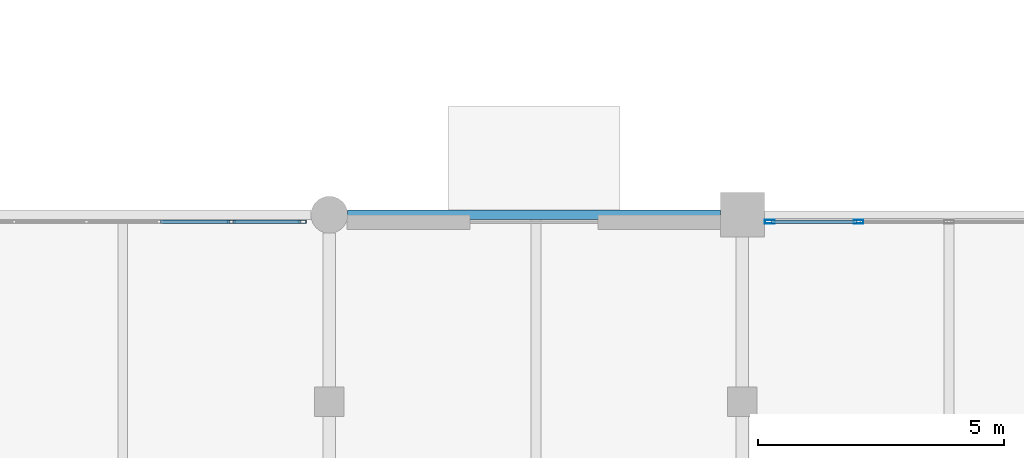
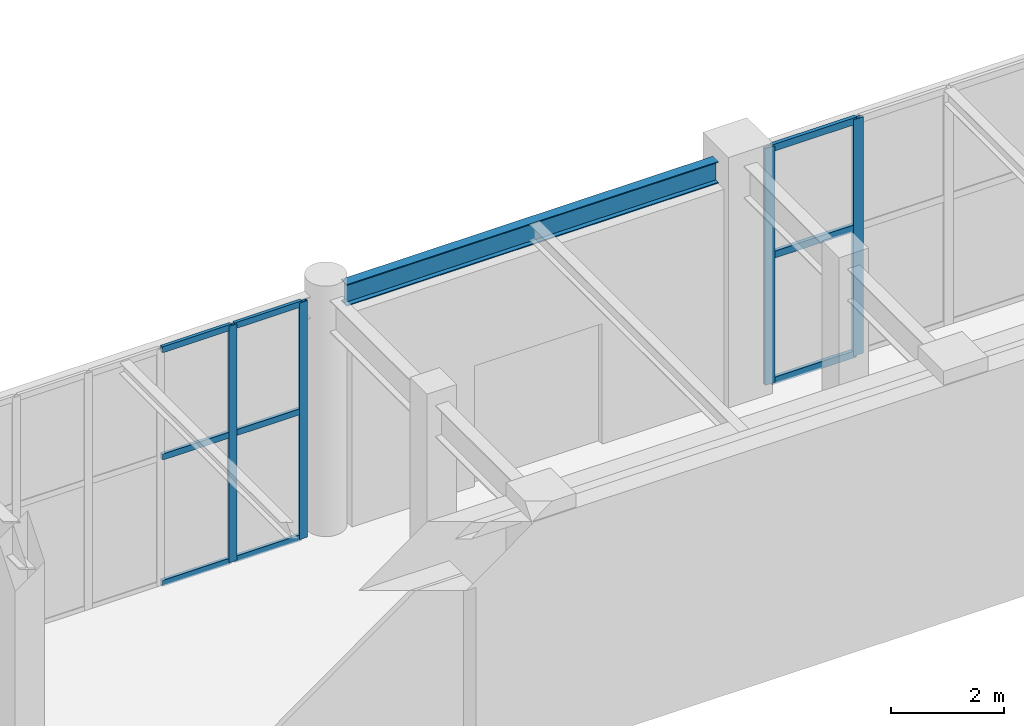
# One storey, part 68 of 139: 13 members, 1 beam, 2 elements without a shape of their own.
"""IFC4 building model written with IfcOpenShell, lengths in metres."""

import ifcopenshell
import ifcopenshell.guid

model = None  # the IFC model being written
_history = None  # IfcOwnerHistory: only IFC2X3 demands one
_inside = {}  # id of a spatial element -> (the spatial element, [elements in it])
_under = {}  # id of a project, library or spatial element -> (it, [spatial elements below it])
_declared = {}  # id of a project -> (the project, [libraries it declares])
_typed = {}  # id of a type object -> (the type object, [elements of that type])
_made_of = {}  # id of a material, layer set ... -> (it, [elements and type objects made of it])


def new_model(schema):
    """Start an empty IFC model of exactly this schema.

    Asked for "IFC4X3", IfcOpenShell would pick the latest addendum, in which some entities
    have other attributes; the version numbers below select the first issue.
    IFC2X3 requires an IfcOwnerHistory on every rooted entity: one is made here for all.
    """
    global model, _history
    if schema == "IFC4X3":
        model = ifcopenshell.file(schema_version=(4, 3, 0, 0))
    else:
        model = ifcopenshell.file(schema=schema)
    _inside.clear()
    _under.clear()
    _declared.clear()
    _typed.clear()
    _made_of.clear()
    _history = None
    if model.schema == "IFC2X3":
        org = make("IfcOrganization", Name="unknown")
        user = make(
            "IfcPersonAndOrganization",
            ThePerson=make("IfcPerson", FamilyName="unknown"),
            TheOrganization=org,
        )
        app = make(
            "IfcApplication",
            ApplicationDeveloper=org,
            Version="unknown",
            ApplicationFullName="unknown",
            ApplicationIdentifier="unknown",
        )
        _history = make(
            "IfcOwnerHistory",
            OwningUser=user,
            OwningApplication=app,
            ChangeAction="ADDED",
            CreationDate=0,
        )
    return model


def make(cls, **values):
    """One entity of the class cls with the attributes given. An attribute that is None is left unset."""
    return model.create_entity(
        cls, **{name: value for name, value in values.items() if value is not None}
    )


def rooted(cls, **values):
    """An entity with a GlobalId (a new one), such as an element, a storey or a relation."""
    return make(cls, GlobalId=ifcopenshell.guid.new(), OwnerHistory=_history, **values)


def si_unit(unit_type, name, prefix=None):
    """IfcSIUnit, for example si_unit("LENGTHUNIT", "METRE", prefix="MILLI")."""
    return make("IfcSIUnit", UnitType=unit_type, Prefix=prefix, Name=name)


def assignment(units):
    """IfcUnitAssignment: the units of a project."""
    return None if units is None else make("IfcUnitAssignment", Units=units)


def point(xyz):
    """IfcCartesianPoint."""
    return None if xyz is None else make("IfcCartesianPoint", Coordinates=xyz)


def direction(xyz):
    """IfcDirection."""
    return None if xyz is None else make("IfcDirection", DirectionRatios=xyz)


def frame(location, z_axis=None, x_axis=None):
    """IfcAxis2Placement3D, a coordinate frame: its origin and axes. An axis left out is left unset."""
    return make(
        "IfcAxis2Placement3D",
        Location=point(location),
        Axis=direction(z_axis),
        RefDirection=direction(x_axis),
    )


def frame_2d(location, x_axis=None):
    """IfcAxis2Placement2D, a coordinate frame in the plane: its origin and x axis."""
    return make(
        "IfcAxis2Placement2D", Location=point(location), RefDirection=direction(x_axis)
    )


def origin():
    """The frame at (0, 0, 0) with its axes left unset."""
    return frame((0.0, 0.0, 0.0))


def origin_2d():
    """The frame at (0, 0) in the plane with its x axis left unset."""
    return frame_2d((0.0, 0.0))


def place(relative_to, where):
    """IfcLocalPlacement: puts the frame where relative to a parent placement (None: the world)."""
    return make(
        "IfcLocalPlacement", PlacementRelTo=relative_to, RelativePlacement=where
    )


def context(
    kind, dimensions, precision=None, world=None, true_north=None, identifier=None
):
    """IfcGeometricRepresentationContext, for example the 3D "Model" context."""
    return make(
        "IfcGeometricRepresentationContext",
        ContextIdentifier=identifier,
        ContextType=kind,
        CoordinateSpaceDimension=dimensions,
        Precision=precision,
        WorldCoordinateSystem=world,
        TrueNorth=true_north,
    )


def subcontext(parent, identifier, kind, view, scale=None):
    """IfcGeometricRepresentationSubContext, for example "Body" below "Model"."""
    return make(
        "IfcGeometricRepresentationSubContext",
        ContextIdentifier=identifier,
        ContextType=kind,
        ParentContext=parent,
        TargetScale=scale,
        TargetView=view,
    )


def project(units=None, contexts=None):
    """IfcProject with its units and contexts."""
    return rooted(
        "IfcProject",
        Name="project",
        RepresentationContexts=contexts,
        UnitsInContext=assignment(units),
    )


def spatial(cls, under=None, at=None, **own):
    """A site, building, storey or space (cls), placed at a placement, below another one or the project."""
    s = rooted(cls, ObjectPlacement=at, **own)
    if under is not None:
        _under.setdefault(under.id(), (under, []))[1].append(s)
    return s


def profile(cls, at=None, kind="AREA", **sizes):
    """A parametric profile (cls). Its sizes go by their IFC names, for example OverallWidth=200.0."""
    return make(cls, ProfileType=kind, Position=at, **sizes)


def hollow_rectangle(**sizes):
    """IfcRectangleHollowProfileDef."""
    return profile("IfcRectangleHollowProfileDef", **sizes)


def i_section(**sizes):
    """IfcIShapeProfileDef."""
    return profile("IfcIShapeProfileDef", **sizes)


def extrude(swept, where, along, depth):
    """IfcExtrudedAreaSolid: the profile swept, set in the frame where, extruded along a direction by depth."""
    return make(
        "IfcExtrudedAreaSolid",
        SweptArea=swept,
        Position=where,
        ExtrudedDirection=direction(along),
        Depth=depth,
    )


def shape(context_of_items, identifier, shape_type, items):
    """IfcShapeRepresentation: the items that make up one representation, for example the "Body"."""
    return make(
        "IfcShapeRepresentation",
        ContextOfItems=context_of_items,
        RepresentationIdentifier=identifier,
        RepresentationType=shape_type,
        Items=items,
    )


def material(Name=None, Category=None):
    """IfcMaterial."""
    return make("IfcMaterial", Name=Name, Category=Category)


def layer(
    of_material, thickness, ventilated=None, Name=None, Category=None, Priority=None
):
    """IfcMaterialLayer: one layer of a wall or slab, of a material (None: an air gap)."""
    return make(
        "IfcMaterialLayer",
        Material=of_material,
        LayerThickness=thickness,
        IsVentilated=ventilated,
        Name=Name,
        Category=Category,
        Priority=Priority,
    )


def layer_set(layers, Name=None):
    """IfcMaterialLayerSet."""
    return make("IfcMaterialLayerSet", MaterialLayers=layers, LayerSetName=Name)


def material_profile(
    of_material, cross_section, Name=None, Category=None, Priority=None
):
    """IfcMaterialProfile: a cross section and its material."""
    return make(
        "IfcMaterialProfile",
        Name=Name,
        Material=of_material,
        Profile=cross_section,
        Priority=Priority,
        Category=Category,
    )


def profile_set(profiles, Name=None, composite=None):
    """IfcMaterialProfileSet."""
    return make(
        "IfcMaterialProfileSet",
        Name=Name,
        MaterialProfiles=profiles,
        CompositeProfile=composite,
    )


def made_of(thing, what):
    """Note that an element or type object is made of a material, layer set ...; save() writes the relation."""
    if what is not None:
        _made_of.setdefault(what.id(), (what, []))[1].append(thing)
    return thing


def type_object(cls, material=None, **own):
    """A type object (cls), such as IfcWallType, which elements share."""
    return made_of(rooted(cls, **own), material)


def element(
    cls,
    number,
    at=None,
    inside=None,
    cuts=None,
    type_object=None,
    material=None,
    context=None,
    identifier="Body",
    shape_type=None,
    held_by="IfcProductDefinitionShape",
    body=None,
    shapes=None,
    **own,
):
    """One element of the class cls, such as IfcWall. Its Tag is "e" and its number.

    at: its placement. inside: the storey or other place that contains it. cuts: it is an
    opening in that element (IfcRelVoidsElement). A single representation is given by context,
    identifier, shape_type and body (its items); several are given by shapes. held_by: the class
    of the entity that holds the representations. save() writes the other relations.
    """
    e = rooted(cls, Tag="e%d" % number, ObjectPlacement=at, **own)
    if body is not None:
        shapes = [shape(context, identifier, shape_type, body)]
    if shapes is not None:
        e.Representation = make(held_by, Representations=shapes)
    if inside is not None:
        _inside.setdefault(inside.id(), (inside, []))[1].append(e)
    if cuts is not None:
        rooted(
            "IfcRelVoidsElement", RelatingBuildingElement=cuts, RelatedOpeningElement=e
        )
    if type_object is not None:
        _typed.setdefault(type_object.id(), (type_object, []))[1].append(e)
    return made_of(e, material)


def aggregate(whole, parts):
    """IfcRelAggregates: a whole, such as a stair, and the parts it consists of."""
    return rooted("IfcRelAggregates", RelatingObject=whole, RelatedObjects=parts)


def save(model, path):
    """Write the relations noted so far, then the file.

    IfcRelAggregates (storeys below a building ...), IfcRelContainedInSpatialStructure (elements
    in a storey), IfcRelDefinesByType, IfcRelAssociatesMaterial and IfcRelDeclares: one each for
    every whole, place, type object, material and project.
    """
    for whole, parts in _under.values():
        aggregate(whole, parts)
    for where, things in _inside.values():
        rooted(
            "IfcRelContainedInSpatialStructure",
            RelatedElements=things,
            RelatingStructure=where,
        )
    for kind, things in _typed.values():
        rooted("IfcRelDefinesByType", RelatedObjects=things, RelatingType=kind)
    for what, things in _made_of.values():
        rooted("IfcRelAssociatesMaterial", RelatedObjects=things, RelatingMaterial=what)
    for by, libraries in _declared.values():
        rooted("IfcRelDeclares", RelatingContext=by, RelatedDefinitions=libraries)
    model.write(path)


model = new_model("IFC4")

# Units and contexts
model_context = context("Model", 3, precision=1e-05, world=origin(), true_north=direction((0.0, 1.0)))
body_context = subcontext(model_context, "Body", "Model", "MODEL_VIEW")
ifc_project = project(units=[si_unit("LENGTHUNIT", "METRE"), si_unit("AREAUNIT", "SQUARE_METRE"), si_unit("VOLUMEUNIT", "CUBIC_METRE"), si_unit("PLANEANGLEUNIT", "RADIAN"), si_unit("MASSUNIT", "GRAM", prefix="KILO")], contexts=[model_context])

# Site, building, storey
site_placement = place(None, origin())
site = spatial("IfcSite", under=ifc_project, at=site_placement, CompositionType="ELEMENT")
building_placement = place(site_placement, origin())
building = spatial("IfcBuilding", under=site, at=building_placement, Name="Xicomal Pleat Aquarium", CompositionType="ELEMENT")
storey_placement = place(building_placement, origin())
storey = spatial("IfcBuildingStorey", under=building, at=storey_placement, Name="L01", CompositionType="ELEMENT", Elevation=0.0)

# Beam
ifc_material_1 = material(Name="Structural steel A992 Gr 50", Category="steel")
ifc_material_profile_1 = material_profile(ifc_material_1, i_section(OverallWidth=0.194091796875, OverallDepth=0.468994140625, WebThickness=0.0126953125, FlangeThickness=0.0205078125, at=origin_2d()), Name="IR 460x106")
ifc_profile_set_1 = profile_set([ifc_material_profile_1], Name="Structural steel A992 Gr 50")
beam_type = type_object("IfcBeamType", Name="BM-STL-IR460", PredefinedType="BEAM", material=ifc_profile_set_1)
beam_placement = place(storey_placement, frame((69.3701171875, 83.60009765625, 4.865478515625), z_axis=(1.0, 0.0, 0.0), x_axis=(0.0, 1.0, 0.0)))
element("IfcBeam", 1, at=beam_placement, inside=storey, type_object=beam_type, Name="L01 framing beam FGX-L01-09-10-M", PredefinedType="BEAM", context=body_context, shape_type="SweptSolid", body=[
    extrude(i_section(OverallWidth=0.194091796875, OverallDepth=0.468994140625, WebThickness=0.0126953125, FlangeThickness=0.0205078125, at=origin_2d()), origin(), (0.0, 0.0, 1.0), 7.5849609375),
])

# Curtain wall, members
ifc_material_2 = material(Name="Bronze anodized aluminium 6063-T6", Category="aluminium")
ifc_layer_1 = layer(ifc_material_2, 0.159912109375)
ifc_layer_set_1 = layer_set([ifc_layer_1], Name="Bronze anodized aluminium 6063-T6")
curtain_wall_type_1 = type_object("IfcCurtainWallType", Name="CW-SYS-01", PredefinedType="NOTDEFINED", material=ifc_layer_set_1)
curtain_wall_1_placement = place(storey_placement, origin())
curtain_wall_1 = element("IfcCurtainWall", 2, at=curtain_wall_1_placement, inside=storey, type_object=curtain_wall_type_1, Name="L01 unitised curtain wall CW-L01-036", PredefinedType="NOTDEFINED")
ifc_material_3 = material(Name="Bronze anodized aluminium 6063-T6", Category="aluminium")
ifc_material_profile_2 = material_profile(ifc_material_3, hollow_rectangle(XDim=0.06494140625, YDim=0.159912109375, WallThickness=0.00390625, at=origin_2d()), Name="ALU MULL 65x160")
ifc_profile_set_2 = profile_set([ifc_material_profile_2], Name="Bronze anodized aluminium 6063-T6")
member_type_1 = type_object("IfcMemberType", Name="CWM-65x160", PredefinedType="MULLION", material=ifc_profile_set_2)
member_1_placement = place(storey_placement, frame((67.008056640625, 83.4599609375, 0.0), z_axis=(0.0, 0.0, 1.0), x_axis=(0.0, 1.0, 0.0)))
member_1 = element("IfcMember", 3, at=member_1_placement, type_object=member_type_1, Name="CW-01 mullion 5", PredefinedType="MULLION", context=body_context, shape_type="SweptSolid", body=[
    extrude(hollow_rectangle(XDim=0.06494140625, YDim=0.159912109375, WallThickness=0.00390625, at=origin_2d()), origin(), (0.0, 0.0, 1.0), 5.10009765625),
])
member_2_placement = place(storey_placement, frame((68.447509765625, 83.4599609375, 0.0), z_axis=(0.0, 0.0, 1.0), x_axis=(0.0, 1.0, 0.0)))
member_2 = element("IfcMember", 4, at=member_2_placement, type_object=member_type_1, Name="CW-01 mullion 6", PredefinedType="MULLION", context=body_context, shape_type="SweptSolid", body=[
    extrude(hollow_rectangle(XDim=0.06494140625, YDim=0.159912109375, WallThickness=0.00390625, at=origin_2d()), origin(), (0.0, 0.0, 1.0), 5.10009765625),
])

ifc_material_4 = material(Name="Bronze anodized aluminium 6063-T6", Category="aluminium")
ifc_layer_2 = layer(ifc_material_4, 0.159912109375)
ifc_layer_set_2 = layer_set([ifc_layer_2], Name="Bronze anodized aluminium 6063-T6")
curtain_wall_type_2 = type_object("IfcCurtainWallType", Name="CW-SYS-06", PredefinedType="NOTDEFINED", material=ifc_layer_set_2)
curtain_wall_2_placement = place(storey_placement, origin())
curtain_wall_2 = element("IfcCurtainWall", 5, at=curtain_wall_2_placement, inside=storey, type_object=curtain_wall_type_2, Name="L01 unitised curtain wall CW-L01-037", PredefinedType="NOTDEFINED")
ifc_material_5 = material(Name="Bronze anodized aluminium 6063-T6", Category="aluminium")
ifc_material_profile_3 = material_profile(ifc_material_5, hollow_rectangle(XDim=0.074951171875, YDim=0.199951171875, WallThickness=0.00439453125, at=origin_2d()), Name="ALU MULL 75x200")
ifc_profile_set_3 = profile_set([ifc_material_profile_3], Name="Bronze anodized aluminium 6063-T6")
member_type_2 = type_object("IfcMemberType", Name="CWM-75x200", PredefinedType="MULLION", material=ifc_profile_set_3)
member_3_placement = place(storey_placement, frame((77.95751953125, 83.4599609375, 0.0), z_axis=(0.0, 0.0, 1.0), x_axis=(0.0, 1.0, 0.0)))
member_3 = element("IfcMember", 6, at=member_3_placement, type_object=member_type_2, Name="CW-06 mullion 1", PredefinedType="MULLION", context=body_context, shape_type="SweptSolid", body=[
    extrude(hollow_rectangle(XDim=0.074951171875, YDim=0.199951171875, WallThickness=0.00439453125, at=origin_2d()), origin(), (0.0, 0.0, 1.0), 5.10009765625),
])
member_4_placement = place(storey_placement, frame((79.760009765625, 83.4599609375, 0.0), z_axis=(0.0, 0.0, 1.0), x_axis=(0.0, 1.0, 0.0)))
member_4 = element("IfcMember", 7, at=member_4_placement, type_object=member_type_2, Name="CW-06 mullion 2", PredefinedType="MULLION", context=body_context, shape_type="SweptSolid", body=[
    extrude(hollow_rectangle(XDim=0.074951171875, YDim=0.199951171875, WallThickness=0.00439453125, at=origin_2d()), origin(), (0.0, 0.0, 1.0), 5.10009765625),
])

# Member
ifc_material_6 = material(Name="Bronze anodized aluminium 6063-T6", Category="aluminium")
ifc_material_profile_4 = material_profile(ifc_material_6, hollow_rectangle(XDim=0.06494140625, YDim=0.1298828125, WallThickness=0.00390625, at=origin_2d()), Name="ALU TRAN 65x130")
ifc_profile_set_4 = profile_set([ifc_material_profile_4], Name="Bronze anodized aluminium 6063-T6")
member_type_3 = type_object("IfcMemberType", Name="CWT-65x130", PredefinedType="USERDEFINED", material=ifc_profile_set_4)
member_5_placement = place(storey_placement, frame((65.568603515625, 83.4599609375, 0.032470703125), z_axis=(1.0, 0.0, 0.0), x_axis=(0.0, 1.0, 0.0)))
member_5 = element("IfcMember", 8, at=member_5_placement, type_object=member_type_3, Name="CW-01 transom 4.1", ObjectType="TRANSOM", PredefinedType="USERDEFINED", context=body_context, shape_type="SweptSolid", body=[
    extrude(hollow_rectangle(XDim=0.06494140625, YDim=0.1298828125, WallThickness=0.00390625, at=origin_2d()), origin(), (0.0, 0.0, 1.0), 1.406982421875),
])

member_6_placement = place(storey_placement, frame((65.568603515625, 83.4599609375, 2.75390625), z_axis=(1.0, 0.0, 0.0), x_axis=(0.0, 1.0, 0.0)))
member_6 = element("IfcMember", 9, at=member_6_placement, type_object=member_type_3, Name="CW-01 transom 4.2", ObjectType="TRANSOM", PredefinedType="USERDEFINED", context=body_context, shape_type="SweptSolid", body=[
    extrude(hollow_rectangle(XDim=0.06494140625, YDim=0.1298828125, WallThickness=0.00390625, at=origin_2d()), origin(), (0.0, 0.0, 1.0), 1.406982421875),
])

member_7_placement = place(storey_placement, frame((65.568603515625, 83.4599609375, 5.0673828125), z_axis=(1.0, 0.0, 0.0), x_axis=(0.0, 1.0, 0.0)))
member_7 = element("IfcMember", 10, at=member_7_placement, type_object=member_type_3, Name="CW-01 transom 4.3", ObjectType="TRANSOM", PredefinedType="USERDEFINED", context=body_context, shape_type="SweptSolid", body=[
    extrude(hollow_rectangle(XDim=0.06494140625, YDim=0.1298828125, WallThickness=0.00390625, at=origin_2d()), origin(), (0.0, 0.0, 1.0), 1.406982421875),
])

member_8_placement = place(storey_placement, frame((67.04052734375, 83.4599609375, 0.032470703125), z_axis=(1.0, 0.0, 0.0), x_axis=(0.0, 1.0, 0.0)))
member_8 = element("IfcMember", 11, at=member_8_placement, type_object=member_type_3, Name="CW-01 transom 5.1", ObjectType="TRANSOM", PredefinedType="USERDEFINED", context=body_context, shape_type="SweptSolid", body=[
    extrude(hollow_rectangle(XDim=0.06494140625, YDim=0.1298828125, WallThickness=0.00390625, at=origin_2d()), origin(), (0.0, 0.0, 1.0), 1.37451171875),
])

member_9_placement = place(storey_placement, frame((67.04052734375, 83.4599609375, 2.75390625), z_axis=(1.0, 0.0, 0.0), x_axis=(0.0, 1.0, 0.0)))
member_9 = element("IfcMember", 12, at=member_9_placement, type_object=member_type_3, Name="CW-01 transom 5.2", ObjectType="TRANSOM", PredefinedType="USERDEFINED", context=body_context, shape_type="SweptSolid", body=[
    extrude(hollow_rectangle(XDim=0.06494140625, YDim=0.1298828125, WallThickness=0.00390625, at=origin_2d()), origin(), (0.0, 0.0, 1.0), 1.37451171875),
])

member_10_placement = place(storey_placement, frame((67.04052734375, 83.4599609375, 5.0673828125), z_axis=(1.0, 0.0, 0.0), x_axis=(0.0, 1.0, 0.0)))
member_10 = element("IfcMember", 13, at=member_10_placement, type_object=member_type_3, Name="CW-01 transom 5.3", ObjectType="TRANSOM", PredefinedType="USERDEFINED", context=body_context, shape_type="SweptSolid", body=[
    extrude(hollow_rectangle(XDim=0.06494140625, YDim=0.1298828125, WallThickness=0.00390625, at=origin_2d()), origin(), (0.0, 0.0, 1.0), 1.37451171875),
])

aggregate(curtain_wall_1, [member_1, member_2, member_5, member_6, member_7, member_8, member_9, member_10])

ifc_material_7 = material(Name="Bronze anodized aluminium 6063-T6", Category="aluminium")
ifc_material_profile_5 = material_profile(ifc_material_7, hollow_rectangle(XDim=0.074951171875, YDim=0.14990234375, WallThickness=0.00439453125, at=origin_2d()), Name="ALU TRAN 75x150")
ifc_profile_set_5 = profile_set([ifc_material_profile_5], Name="Bronze anodized aluminium 6063-T6")
member_type_4 = type_object("IfcMemberType", Name="CWT-75x150", PredefinedType="USERDEFINED", material=ifc_profile_set_5)
member_11_placement = place(storey_placement, frame((77.9951171875, 83.4599609375, 0.03759765625), z_axis=(1.0, 0.0, 0.0), x_axis=(0.0, 1.0, 0.0)))
member_11 = element("IfcMember", 14, at=member_11_placement, type_object=member_type_4, Name="CW-06 transom 1.1", ObjectType="TRANSOM", PredefinedType="USERDEFINED", context=body_context, shape_type="SweptSolid", body=[
    extrude(hollow_rectangle(XDim=0.074951171875, YDim=0.14990234375, WallThickness=0.00439453125, at=origin_2d()), origin(), (0.0, 0.0, 1.0), 1.727294921875),
])

member_12_placement = place(storey_placement, frame((77.9951171875, 83.4599609375, 2.75390625), z_axis=(1.0, 0.0, 0.0), x_axis=(0.0, 1.0, 0.0)))
member_12 = element("IfcMember", 15, at=member_12_placement, type_object=member_type_4, Name="CW-06 transom 1.2", ObjectType="TRANSOM", PredefinedType="USERDEFINED", context=body_context, shape_type="SweptSolid", body=[
    extrude(hollow_rectangle(XDim=0.074951171875, YDim=0.14990234375, WallThickness=0.00439453125, at=origin_2d()), origin(), (0.0, 0.0, 1.0), 1.727294921875),
])

member_13_placement = place(storey_placement, frame((77.9951171875, 83.4599609375, 5.0625), z_axis=(1.0, 0.0, 0.0), x_axis=(0.0, 1.0, 0.0)))
member_13 = element("IfcMember", 16, at=member_13_placement, type_object=member_type_4, Name="CW-06 transom 1.3", ObjectType="TRANSOM", PredefinedType="USERDEFINED", context=body_context, shape_type="SweptSolid", body=[
    extrude(hollow_rectangle(XDim=0.074951171875, YDim=0.14990234375, WallThickness=0.00439453125, at=origin_2d()), origin(), (0.0, 0.0, 1.0), 1.727294921875),
])

aggregate(curtain_wall_2, [member_3, member_4, member_11, member_12, member_13])

save(model, "model.ifc")
